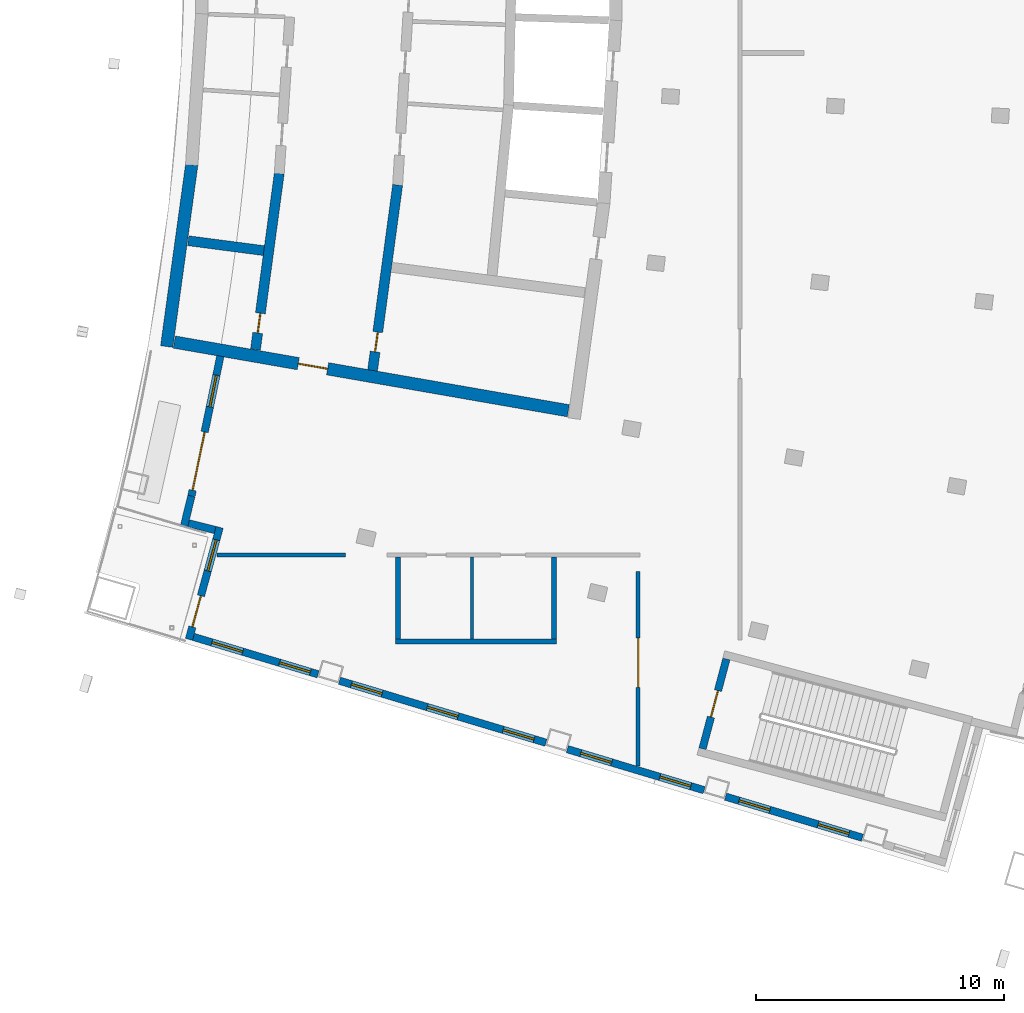
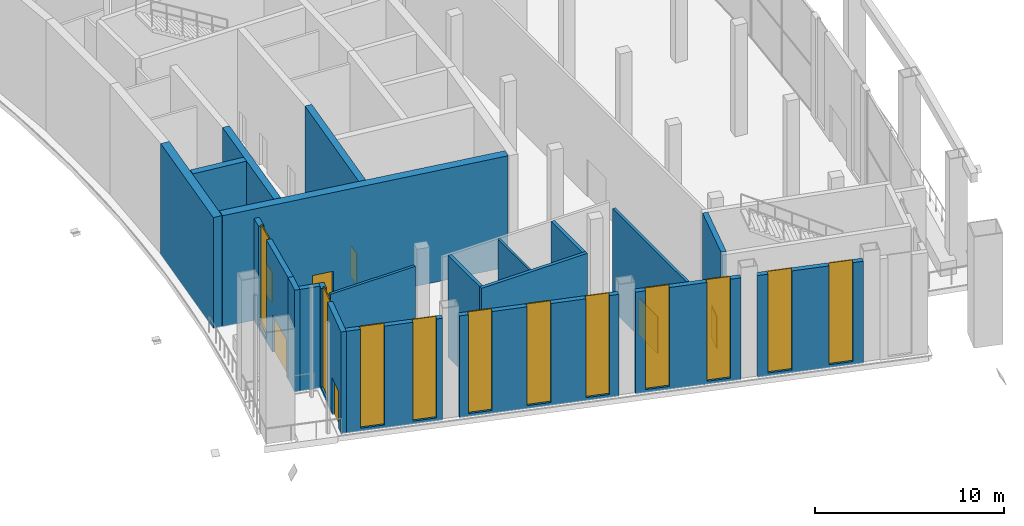
# One storey, part 13 of 25: 20 walls, 11 windows, 7 doors, 18 openings.
"""IFC4 building model written with IfcOpenShell, lengths in metres."""

from ifc_helpers import new_model, si_unit, direction, frame, frame_2d, origin, place, context, subcontext, project, spatial, rectangle, extrude, material, layer, layer_set, type_object, element, fill, save


model = new_model("IFC4")

# Units and contexts
model_context = context("Model", 3, precision=1e-05, world=origin(), true_north=direction((0.0, 1.0)))
body_context = subcontext(model_context, "Body", "Model", "MODEL_VIEW")
ifc_project = project(units=[si_unit("LENGTHUNIT", "METRE"), si_unit("AREAUNIT", "SQUARE_METRE"), si_unit("VOLUMEUNIT", "CUBIC_METRE"), si_unit("PLANEANGLEUNIT", "RADIAN"), si_unit("MASSUNIT", "GRAM", prefix="KILO")], contexts=[model_context])

# Site, building, storey
site_placement = place(None, origin())
site = spatial("IfcSite", under=ifc_project, at=site_placement, CompositionType="ELEMENT")
building_placement = place(site_placement, origin())
building = spatial("IfcBuilding", under=site, at=building_placement, Name="Alderwake Tower", CompositionType="ELEMENT")
storey_placement = place(building_placement, frame((0.0, 0.0, 288.800048828125)))
storey = spatial("IfcBuildingStorey", under=building, at=storey_placement, Name="L72", CompositionType="ELEMENT", Elevation=288.800048828125)

# Wall
ifc_material_1 = material(Name="Concrete C70/85", Category="concrete")
ifc_layer_1 = layer(ifc_material_1, 0.5)
ifc_layer_set_1 = layer_set([ifc_layer_1], Name="Core wall outer 500 C70-85")
wall_type_1 = type_object("IfcWallType", Name="Core wall outer 500 C70-85", PredefinedType="SHEAR", material=ifc_layer_set_1)
wall_1_placement = place(storey_placement, frame((15.272216796875, 44.155029296875, 0.0), z_axis=(0.0, 0.0, 1.0), x_axis=(0.13632182908, 0.990664604655, 0.0)))
element("IfcWall", 1, at=wall_1_placement, inside=storey, type_object=wall_type_1, Name="Core wall CW.028", PredefinedType="SHEAR", context=body_context, shape_type="SweptSolid", body=[
    extrude(rectangle(XDim=7.408935546875, YDim=0.5, at=frame_2d((3.70458984375, 0.0))), origin(), (0.0, 0.0, 1.0), 7.199951171875),
])

# Wall, opening, door
wall_2_placement = place(storey_placement, frame((31.47802734375, 41.564453125, 0.0), z_axis=(0.0, 0.0, 1.0), x_axis=(-0.985140274783, 0.171751678306, 0.0)))
wall_2 = element("IfcWall", 2, at=wall_2_placement, inside=storey, type_object=wall_type_1, Name="Core wall CW.072", PredefinedType="SHEAR", context=body_context, shape_type="SweptSolid", body=[
    extrude(rectangle(XDim=16.137939453125, YDim=0.5, at=frame_2d((8.06884765625, 0.0))), origin(), (0.0, 0.0, 1.0), 7.199951171875),
])
opening_1_placement = place(wall_2_placement, frame((9.859619140625, 0.0, 0.0)))
opening_1 = element("IfcOpeningElement", 3, at=opening_1_placement, cuts=wall_2, Name="Opening C003", PredefinedType="OPENING", context=body_context, shape_type="SweptSolid", body=[
    extrude(rectangle(XDim=1.199951171875, YDim=2.10009765625, at=frame_2d((0.60009765625, 1.050048828125))), frame((0.0, 0.260009765625, 0.0), z_axis=(0.0, -1.0, 0.0), x_axis=(1.0, 0.0, 0.0)), (0.0, 0.0, 1.0), 0.52001953125),
])
ifc_material_2 = material(Name="Steel-framed fire door leaf", Category="steel")
door_type_1 = type_object("IfcDoorType", Name="Core lobby exit door 1200 fire-rated", OperationType="SINGLE_SWING_LEFT", PredefinedType="DOOR", material=ifc_material_2)
door_1_placement = place(opening_1_placement, origin())
door_1 = element("IfcDoor", 4, at=door_1_placement, inside=storey, type_object=door_type_1, Name="Lobby door", OperationType="SINGLE_SWING_LEFT", OverallHeight=2.10009765625, OverallWidth=1.199951171875, PredefinedType="DOOR", context=body_context, shape_type="SweptSolid", body=[
    extrude(rectangle(XDim=1.199951171875, YDim=2.10009765625, at=frame_2d((0.60009765625, 1.050048828125))), frame((0.0, 0.02490234375, 0.0), z_axis=(0.0, -1.0, 0.0), x_axis=(1.0, 0.0, 0.0)), (0.0, 0.0, 1.0), 0.050048828125),
])
fill(opening_1, door_1)

ifc_material_3 = material(Name="Concrete C70/85", Category="concrete")
ifc_layer_2 = layer(ifc_material_3, 0.39990234375)
ifc_layer_set_2 = layer_set([ifc_layer_2], Name="Core wall spine 400 C70-85")
wall_type_2 = type_object("IfcWallType", Name="Core wall spine 400 C70-85", PredefinedType="SHEAR", material=ifc_layer_set_2)
wall_3_placement = place(storey_placement, frame((19.814697265625, 51.143798828125, 0.0), z_axis=(0.0, 0.0, 1.0), x_axis=(-0.133823115837, -0.991005233925, 0.0)))
wall_3 = element("IfcWall", 5, at=wall_3_placement, inside=storey, type_object=wall_type_2, Name="Core wall CW.033", PredefinedType="SHEAR", context=body_context, shape_type="SweptSolid", body=[
    extrude(rectangle(XDim=7.1787109375, YDim=0.39990234375, at=frame_2d((3.58935546875, 0.0))), origin(), (0.0, 0.0, 1.0), 7.199951171875),
])
opening_2_placement = place(wall_3_placement, frame((5.69677734375, 0.0, 0.0)))
opening_2 = element("IfcOpeningElement", 6, at=opening_2_placement, cuts=wall_3, Name="Opening C007", PredefinedType="OPENING", context=body_context, shape_type="SweptSolid", body=[
    extrude(rectangle(XDim=0.800048828125, YDim=2.0, at=frame_2d((0.39990234375, 1.0))), frame((0.0, 0.2099609375, 0.0), z_axis=(0.0, -1.0, 0.0), x_axis=(1.0, 0.0, 0.0)), (0.0, 0.0, 1.0), 0.419921875),
])
ifc_material_4 = material(Name="Painted steel leaf, rated", Category="steel")
door_type_2 = type_object("IfcDoorType", Name="Riser access door 800", OperationType="SINGLE_SWING_LEFT", PredefinedType="DOOR", material=ifc_material_4)
door_2_placement = place(opening_2_placement, origin())
door_2 = element("IfcDoor", 7, at=door_2_placement, inside=storey, type_object=door_type_2, Name="Riser access door", OperationType="SINGLE_SWING_LEFT", OverallHeight=2.0, OverallWidth=0.800048828125, PredefinedType="DOOR", context=body_context, shape_type="SweptSolid", body=[
    extrude(rectangle(XDim=0.800048828125, YDim=2.0, at=frame_2d((0.39990234375, 1.0))), frame((0.0, 0.02490234375, 0.0), z_axis=(0.0, -1.0, 0.0), x_axis=(1.0, 0.0, 0.0)), (0.0, 0.0, 1.0), 0.050048828125),
])
fill(opening_2, door_2)

wall_4_placement = place(storey_placement, frame((23.58056640625, 43.19384765625, 0.0), z_axis=(0.0, 0.0, 1.0), x_axis=(0.133962545762, 0.990986395635, 0.0)))
wall_4 = element("IfcWall", 8, at=wall_4_placement, inside=storey, type_object=wall_type_2, Name="Core wall CW.047", PredefinedType="SHEAR", context=body_context, shape_type="SweptSolid", body=[
    extrude(rectangle(XDim=7.546875, YDim=0.39990234375, at=frame_2d((3.7734375, 0.0))), origin(), (0.0, 0.0, 1.0), 7.199951171875),
])
opening_3_placement = place(wall_4_placement, frame((0.7578125, 0.0, 0.0)))
opening_3 = element("IfcOpeningElement", 9, at=opening_3_placement, cuts=wall_4, Name="Opening C014", PredefinedType="OPENING", context=body_context, shape_type="SweptSolid", body=[
    extrude(rectangle(XDim=0.800048828125, YDim=2.0, at=frame_2d((0.39990234375, 1.0))), frame((0.0, 0.2099609375, 0.0), z_axis=(0.0, -1.0, 0.0), x_axis=(1.0, 0.0, 0.0)), (0.0, 0.0, 1.0), 0.419921875),
])
door_3_placement = place(opening_3_placement, origin())
door_3 = element("IfcDoor", 10, at=door_3_placement, inside=storey, type_object=door_type_2, Name="Riser access door", OperationType="SINGLE_SWING_RIGHT", OverallHeight=2.0, OverallWidth=0.800048828125, PredefinedType="DOOR", context=body_context, shape_type="SweptSolid", body=[
    extrude(rectangle(XDim=0.800048828125, YDim=2.0, at=frame_2d((0.39990234375, 1.0))), frame((0.0, 0.02490234375, 0.0), z_axis=(0.0, -1.0, 0.0), x_axis=(1.0, 0.0, 0.0)), (0.0, 0.0, 1.0), 0.050048828125),
])
fill(opening_3, door_3)

# Wall
wall_5_placement = place(storey_placement, frame((16.142578125, 48.42529296875, 0.0), z_axis=(0.0, 0.0, 1.0), x_axis=(0.991550757989, -0.129719290517, 0.0)))
element("IfcWall", 11, at=wall_5_placement, inside=storey, type_object=wall_type_2, Name="Core wall CW.067", PredefinedType="SHEAR", context=body_context, shape_type="SweptSolid", body=[
    extrude(rectangle(XDim=3.0751953125, YDim=0.39990234375, at=frame_2d((1.53759765625, 0.0))), origin(), (0.0, 0.0, 1.0), 7.199951171875),
])

# Wall, opening, door
ifc_material_5 = material(Name="Concrete C70/85", Category="concrete")
ifc_layer_3 = layer(ifc_material_5, 0.300048828125)
ifc_layer_set_3 = layer_set([ifc_layer_3], Name="Core wall stair enclosure 300 C70-85")
wall_type_3 = type_object("IfcWallType", Name="Core wall stair enclosure 300 C70-85", PredefinedType="SHEAR", material=ifc_layer_set_3)
wall_6_placement = place(storey_placement, frame((36.89501953125, 27.923828125, 0.0), z_axis=(0.0, 0.0, 1.0), x_axis=(0.257350630826, 0.966318090907, 0.0)))
wall_6 = element("IfcWall", 12, at=wall_6_placement, inside=storey, type_object=wall_type_3, Name="Core wall CW.087", PredefinedType="SHEAR", context=body_context, shape_type="SweptSolid", body=[
    extrude(rectangle(XDim=3.75, YDim=0.300048828125, at=frame_2d((1.875, 0.0))), origin(), (0.0, 0.0, 1.0), 7.199951171875),
])
opening_4_placement = place(wall_6_placement, frame((1.324951171875, 0.0, 0.0)))
opening_4 = element("IfcOpeningElement", 13, at=opening_4_placement, cuts=wall_6, Name="Opening C065", PredefinedType="OPENING", context=body_context, shape_type="SweptSolid", body=[
    extrude(rectangle(XDim=1.10009765625, YDim=2.10009765625, at=frame_2d((0.550048828125, 1.050048828125))), frame((0.0, 0.159912109375, 0.0), z_axis=(0.0, -1.0, 0.0), x_axis=(1.0, 0.0, 0.0)), (0.0, 0.0, 1.0), 0.320068359375),
])
ifc_material_6 = material(Name="Steel-framed fire door leaf", Category="steel")
door_type_3 = type_object("IfcDoorType", Name="Core stair door 1100 fire-rated", OperationType="SINGLE_SWING_LEFT", PredefinedType="DOOR", material=ifc_material_6)
door_4_placement = place(opening_4_placement, origin())
door_4 = element("IfcDoor", 14, at=door_4_placement, inside=storey, type_object=door_type_3, Name="Stair door", OperationType="SINGLE_SWING_LEFT", OverallHeight=2.10009765625, OverallWidth=1.10009765625, PredefinedType="DOOR", context=body_context, shape_type="SweptSolid", body=[
    extrude(rectangle(XDim=1.10009765625, YDim=2.10009765625, at=frame_2d((0.550048828125, 1.050048828125))), frame((0.0, 0.02490234375, 0.0), z_axis=(0.0, -1.0, 0.0), x_axis=(1.0, 0.0, 0.0)), (0.0, 0.0, 1.0), 0.050048828125),
])
fill(opening_4, door_4)

# Wall
ifc_material_7 = material(Name="Gypsum board on metal studs, rated")
ifc_layer_4 = layer(ifc_material_7, 0.159912109375)
ifc_layer_set_4 = layer_set([ifc_layer_4], Name="Corridor wall 160")
wall_type_4 = type_object("IfcWallType", Name="Corridor wall 160", PredefinedType="PARTITIONING", material=ifc_layer_set_4)
wall_7_placement = place(storey_placement, frame((17.2939453125, 35.7509765625, 0.0), z_axis=(0.0, 0.0, 1.0), x_axis=(1.0, 0.0, 0.0)))
element("IfcWall", 15, at=wall_7_placement, inside=storey, type_object=wall_type_4, Name="WL/L72/W09", PredefinedType="PARTITIONING", context=body_context, shape_type="SweptSolid", body=[
    extrude(rectangle(XDim=5.197021484375, YDim=0.159912109375, at=frame_2d((2.5986328125, 0.0))), origin(), (0.0, 0.0, 1.0), 6.599853515625),
])

# Wall, opening, door
wall_8_placement = place(storey_placement, frame((34.299072265625, 35.071044921875, 0.0), z_axis=(0.0, 0.0, 1.0), x_axis=(0.0, -1.0, 0.0)))
wall_8 = element("IfcWall", 16, at=wall_8_placement, inside=storey, type_object=wall_type_4, Name="WL/L72/W12", PredefinedType="PARTITIONING", context=body_context, shape_type="SweptSolid", body=[
    extrude(rectangle(XDim=7.843994140625, YDim=0.159912109375, at=frame_2d((3.921875, 0.0))), origin(), (0.0, 0.0, 1.0), 6.599853515625),
])
opening_5_placement = place(wall_8_placement, frame((2.6708984375, 0.0, 0.0)))
opening_5 = element("IfcOpeningElement", 17, at=opening_5_placement, cuts=wall_8, Name="Opening L72-05", PredefinedType="OPENING", context=body_context, shape_type="SweptSolid", body=[
    extrude(rectangle(XDim=2.0, YDim=2.39990234375, at=frame_2d((1.0, 1.199951171875))), frame((0.0, 0.08984375, 0.0), z_axis=(0.0, -1.0, 0.0), x_axis=(1.0, 0.0, 0.0)), (0.0, 0.0, 1.0), 0.179931640625),
])
ifc_material_8 = material(Name="Timber leaves with glazed panels", Category="wood")
door_type_4 = type_object("IfcDoorType", Name="Hall double door 2000", OperationType="DOUBLE_DOOR_SINGLE_SWING", PredefinedType="DOOR", material=ifc_material_8)
door_5_placement = place(opening_5_placement, origin())
door_5 = element("IfcDoor", 18, at=door_5_placement, inside=storey, type_object=door_type_4, Name="DR/L72/05", OperationType="DOUBLE_DOOR_SINGLE_SWING", OverallHeight=2.39990234375, OverallWidth=2.0, PredefinedType="DOOR", context=body_context, shape_type="SweptSolid", body=[
    extrude(rectangle(XDim=2.0, YDim=2.39990234375, at=frame_2d((1.0, 1.199951171875))), frame((0.0, 0.02490234375, 0.0), z_axis=(0.0, -1.0, 0.0), x_axis=(1.0, 0.0, 0.0)), (0.0, 0.0, 1.0), 0.050048828125),
])
fill(opening_5, door_5)

# Wall, openings, door, window
ifc_material_9 = material(Name="Precast concrete C50/60 spandrel panel", Category="concrete")
ifc_layer_5 = layer(ifc_material_9, 0.300048828125)
ifc_layer_set_5 = layer_set([ifc_layer_5], Name="External wall EW1 Precast concrete C50/60 spandrel")
wall_type_5 = type_object("IfcWallType", Name="External wall EW1 Precast concrete C50/60 spandrel", PredefinedType="SOLIDWALL", material=ifc_layer_set_5)
wall_9_placement = place(storey_placement, frame((17.43798828125, 43.768798828125, 0.0), z_axis=(0.0, 0.0, 1.0), x_axis=(-0.202755400963, -0.979229415091, 0.0)))
wall_9 = element("IfcWall", 19, at=wall_9_placement, inside=storey, type_object=wall_type_5, Name="External wall 3", PredefinedType="SOLIDWALL", context=body_context, shape_type="SweptSolid", body=[
    extrude(rectangle(XDim=5.7666015625, YDim=0.300048828125, at=frame_2d((2.88330078125, 0.0))), origin(), (0.0, 0.0, 1.0), 6.599853515625),
])
opening_6_placement = place(wall_9_placement, frame((0.790283203125, 0.0, 0.199951171875)))
opening_6 = element("IfcOpeningElement", 20, at=opening_6_placement, cuts=wall_9, Name="Opening W5", PredefinedType="OPENING", context=body_context, shape_type="SweptSolid", body=[
    extrude(rectangle(XDim=1.300048828125, YDim=6.5, at=frame_2d((0.64990234375, 3.25))), frame((0.0, 0.159912109375, 0.0), z_axis=(0.0, -1.0, 0.0), x_axis=(1.0, 0.0, 0.0)), (0.0, 0.0, 1.0), 0.320068359375),
])
opening_7_placement = place(wall_9_placement, frame((3.12451171875, 0.0, 0.0)))
opening_7 = element("IfcOpeningElement", 21, at=opening_7_placement, cuts=wall_9, Name="Opening D01", PredefinedType="OPENING", context=body_context, shape_type="SweptSolid", body=[
    extrude(rectangle(XDim=2.39990234375, YDim=2.39990234375, at=frame_2d((1.199951171875, 1.199951171875))), frame((0.0, 0.159912109375, 0.0), z_axis=(0.0, -1.0, 0.0), x_axis=(1.0, 0.0, 0.0)), (0.0, 0.0, 1.0), 0.320068359375),
])
ifc_material_10 = material(Name="Bronze tinted glass in aluminium frame", Category="aluminium")
door_type_5 = type_object("IfcDoorType", Name="Garden door GD sliding", OperationType="DOUBLE_DOOR_SINGLE_SWING", PredefinedType="DOOR", material=ifc_material_10)
door_6_placement = place(opening_7_placement, origin())
door_6 = element("IfcDoor", 22, at=door_6_placement, inside=storey, type_object=door_type_5, Name="Door D01", OperationType="DOUBLE_DOOR_SINGLE_SWING", OverallHeight=2.39990234375, OverallWidth=2.39990234375, PredefinedType="DOOR", context=body_context, shape_type="SweptSolid", body=[
    extrude(rectangle(XDim=2.39990234375, YDim=2.39990234375, at=frame_2d((1.199951171875, 1.199951171875))), frame((0.0, 0.02490234375, 0.0), z_axis=(0.0, -1.0, 0.0), x_axis=(1.0, 0.0, 0.0)), (0.0, 0.0, 1.0), 0.050048828125),
])
fill(opening_7, door_6)
ifc_material_11 = material(Name="Bronze tinted glass in aluminium frame", Category="aluminium")
window_type = type_object("IfcWindowType", Name="Window W5 garden floor tall", PartitioningType="SINGLE_PANEL", PredefinedType="WINDOW", material=ifc_material_11)
window_1_placement = place(opening_6_placement, origin())
window_1 = element("IfcWindow", 23, at=window_1_placement, inside=storey, type_object=window_type, Name="Window W5 garden floor tall", OverallHeight=6.5, OverallWidth=1.300048828125, PartitioningType="SINGLE_PANEL", PredefinedType="WINDOW", context=body_context, shape_type="SweptSolid", body=[
    extrude(rectangle(XDim=1.300048828125, YDim=6.5, at=frame_2d((0.64990234375, 3.25))), frame((0.0, 0.030029296875, 0.0), z_axis=(0.0, -1.0, 0.0), x_axis=(1.0, 0.0, 0.0)), (0.0, 0.0, 1.0), 0.06005859375),
])
fill(opening_6, window_1)

# Walls
wall_10_placement = place(storey_placement, frame((16.2685546875, 38.120361328125, 0.0), z_axis=(0.0, 0.0, 1.0), x_axis=(-0.238280960487, -0.971196264341, 0.0)))
element("IfcWall", 24, at=wall_10_placement, inside=storey, type_object=wall_type_5, Name="External wall 4", PredefinedType="SOLIDWALL", context=body_context, shape_type="SweptSolid", body=[
    extrude(rectangle(XDim=1.242919921875, YDim=0.300048828125, at=frame_2d((0.62158203125, 0.0))), origin(), (0.0, 0.0, 1.0), 6.599853515625),
])
ifc_material_12 = material(Name="Bronze metal cladding on lightweight framing")
ifc_layer_6 = layer(ifc_material_12, 0.300048828125)
ifc_layer_set_6 = layer_set([ifc_layer_6], Name="External wall EW2 bronze metal cladding")
wall_type_6 = type_object("IfcWallType", Name="External wall EW2 bronze metal cladding", PredefinedType="SOLIDWALL", material=ifc_layer_set_6)
wall_11_placement = place(storey_placement, frame((16.153564453125, 37.022216796875, 0.0), z_axis=(0.0, 0.0, 1.0), x_axis=(0.969436987534, -0.245340431241, 0.0)))
element("IfcWall", 25, at=wall_11_placement, inside=storey, type_object=wall_type_6, Name="External wall 5", PredefinedType="SOLIDWALL", context=body_context, shape_type="SweptSolid", body=[
    extrude(rectangle(XDim=1.10546875, YDim=0.300048828125, at=frame_2d((0.552734375, 0.0))), origin(), (0.0, 0.0, 1.0), 6.599853515625),
])

# Wall, openings, door, window
wall_12_placement = place(storey_placement, frame((17.410400390625, 36.85888671875, 0.0), z_axis=(0.0, 0.0, 1.0), x_axis=(-0.264592640785, -0.96436027212, 0.0)))
wall_12 = element("IfcWall", 26, at=wall_12_placement, inside=storey, type_object=wall_type_6, Name="External wall 6", PredefinedType="SOLIDWALL", context=body_context, shape_type="SweptSolid", body=[
    extrude(rectangle(XDim=4.690185546875, YDim=0.300048828125, at=frame_2d((2.34521484375, 0.0))), origin(), (0.0, 0.0, 1.0), 6.599853515625),
])
opening_8_placement = place(wall_12_placement, frame((0.5224609375, 0.0, 0.199951171875)))
opening_8 = element("IfcOpeningElement", 27, at=opening_8_placement, cuts=wall_12, Name="Opening W5", PredefinedType="OPENING", context=body_context, shape_type="SweptSolid", body=[
    extrude(rectangle(XDim=1.300048828125, YDim=6.5, at=frame_2d((0.64990234375, 3.25))), frame((0.0, 0.159912109375, 0.0), z_axis=(0.0, -1.0, 0.0), x_axis=(1.0, 0.0, 0.0)), (0.0, 0.0, 1.0), 0.320068359375),
])
opening_9_placement = place(wall_12_placement, frame((2.867431640625, 0.0, 0.0)))
opening_9 = element("IfcOpeningElement", 28, at=opening_9_placement, cuts=wall_12, Name="Opening D02", PredefinedType="OPENING", context=body_context, shape_type="SweptSolid", body=[
    extrude(rectangle(XDim=1.300048828125, YDim=2.39990234375, at=frame_2d((0.64990234375, 1.199951171875))), frame((0.0, 0.159912109375, 0.0), z_axis=(0.0, -1.0, 0.0), x_axis=(1.0, 0.0, 0.0)), (0.0, 0.0, 1.0), 0.320068359375),
])
ifc_material_13 = material(Name="Bronze tinted glass in aluminium frame", Category="aluminium")
door_type_6 = type_object("IfcDoorType", Name="Balcony door BD sliding", OperationType="SLIDING_TO_LEFT", PredefinedType="DOOR", material=ifc_material_13)
door_7_placement = place(opening_9_placement, origin())
door_7 = element("IfcDoor", 29, at=door_7_placement, inside=storey, type_object=door_type_6, Name="Door D02", OperationType="SLIDING_TO_LEFT", OverallHeight=2.39990234375, OverallWidth=1.300048828125, PredefinedType="DOOR", context=body_context, shape_type="SweptSolid", body=[
    extrude(rectangle(XDim=1.300048828125, YDim=2.39990234375, at=frame_2d((0.64990234375, 1.199951171875))), frame((0.0, 0.02490234375, 0.0), z_axis=(0.0, -1.0, 0.0), x_axis=(1.0, 0.0, 0.0)), (0.0, 0.0, 1.0), 0.050048828125),
])
fill(opening_9, door_7)
window_2_placement = place(opening_8_placement, origin())
window_2 = element("IfcWindow", 30, at=window_2_placement, inside=storey, type_object=window_type, Name="Window W5 garden floor tall", OverallHeight=6.5, OverallWidth=1.300048828125, PartitioningType="SINGLE_PANEL", PredefinedType="WINDOW", context=body_context, shape_type="SweptSolid", body=[
    extrude(rectangle(XDim=1.300048828125, YDim=6.5, at=frame_2d((0.64990234375, 3.25))), frame((0.0, 0.030029296875, 0.0), z_axis=(0.0, -1.0, 0.0), x_axis=(1.0, 0.0, 0.0)), (0.0, 0.0, 1.0), 0.06005859375),
])
fill(opening_8, window_2)

# Wall, openings, windows
wall_13_placement = place(storey_placement, frame((16.352783203125, 32.4375, 0.0), z_axis=(0.0, 0.0, 1.0), x_axis=(0.957768668152, -0.287539872551, 0.0)))
wall_13 = element("IfcWall", 31, at=wall_13_placement, inside=storey, type_object=wall_type_6, Name="External wall 7", PredefinedType="SOLIDWALL", context=body_context, shape_type="SweptSolid", body=[
    extrude(rectangle(XDim=5.249755859375, YDim=0.300048828125, at=frame_2d((2.625, 0.0))), origin(), (0.0, 0.0, 1.0), 6.599853515625),
])
opening_10_placement = place(wall_13_placement, frame((0.775390625, 0.0, 0.199951171875)))
opening_10 = element("IfcOpeningElement", 32, at=opening_10_placement, cuts=wall_13, Name="Opening W5", PredefinedType="OPENING", context=body_context, shape_type="SweptSolid", body=[
    extrude(rectangle(XDim=1.300048828125, YDim=6.5, at=frame_2d((0.64990234375, 3.25))), frame((0.0, 0.159912109375, 0.0), z_axis=(0.0, -1.0, 0.0), x_axis=(1.0, 0.0, 0.0)), (0.0, 0.0, 1.0), 0.320068359375),
])
opening_11_placement = place(wall_13_placement, frame((3.626220703125, 0.0, 0.199951171875)))
opening_11 = element("IfcOpeningElement", 33, at=opening_11_placement, cuts=wall_13, Name="Opening W5", PredefinedType="OPENING", context=body_context, shape_type="SweptSolid", body=[
    extrude(rectangle(XDim=1.300048828125, YDim=6.5, at=frame_2d((0.64990234375, 3.25))), frame((0.0, 0.159912109375, 0.0), z_axis=(0.0, -1.0, 0.0), x_axis=(1.0, 0.0, 0.0)), (0.0, 0.0, 1.0), 0.320068359375),
])
window_3_placement = place(opening_10_placement, origin())
window_3 = element("IfcWindow", 34, at=window_3_placement, inside=storey, type_object=window_type, Name="Window W5 garden floor tall", OverallHeight=6.5, OverallWidth=1.300048828125, PartitioningType="SINGLE_PANEL", PredefinedType="WINDOW", context=body_context, shape_type="SweptSolid", body=[
    extrude(rectangle(XDim=1.300048828125, YDim=6.5, at=frame_2d((0.64990234375, 3.25))), frame((0.0, 0.030029296875, 0.0), z_axis=(0.0, -1.0, 0.0), x_axis=(1.0, 0.0, 0.0)), (0.0, 0.0, 1.0), 0.06005859375),
])
fill(opening_10, window_3)
window_4_placement = place(opening_11_placement, origin())
window_4 = element("IfcWindow", 35, at=window_4_placement, inside=storey, type_object=window_type, Name="Window W5 garden floor tall", OverallHeight=6.5, OverallWidth=1.300048828125, PartitioningType="SINGLE_PANEL", PredefinedType="WINDOW", context=body_context, shape_type="SweptSolid", body=[
    extrude(rectangle(XDim=1.300048828125, YDim=6.5, at=frame_2d((0.64990234375, 3.25))), frame((0.0, 0.030029296875, 0.0), z_axis=(0.0, -1.0, 0.0), x_axis=(1.0, 0.0, 0.0)), (0.0, 0.0, 1.0), 0.06005859375),
])
fill(opening_11, window_4)

wall_14_placement = place(storey_placement, frame((22.24658203125, 30.668212890625, 0.0), z_axis=(0.0, 0.0, 1.0), x_axis=(0.957762902908, -0.287559075345, 0.0)))
wall_14 = element("IfcWall", 36, at=wall_14_placement, inside=storey, type_object=wall_type_6, Name="External wall 8", PredefinedType="SOLIDWALL", context=body_context, shape_type="SweptSolid", body=[
    extrude(rectangle(XDim=8.696533203125, YDim=0.300048828125, at=frame_2d((4.34814453125, 0.0))), origin(), (0.0, 0.0, 1.0), 6.599853515625),
])
opening_12_placement = place(wall_14_placement, frame((0.498046875, 0.0, 0.199951171875)))
opening_12 = element("IfcOpeningElement", 37, at=opening_12_placement, cuts=wall_14, Name="Opening W5", PredefinedType="OPENING", context=body_context, shape_type="SweptSolid", body=[
    extrude(rectangle(XDim=1.300048828125, YDim=6.5, at=frame_2d((0.64990234375, 3.25))), frame((0.0, 0.159912109375, 0.0), z_axis=(0.0, -1.0, 0.0), x_axis=(1.0, 0.0, 0.0)), (0.0, 0.0, 1.0), 0.320068359375),
])
opening_13_placement = place(wall_14_placement, frame((3.697998046875, 0.0, 0.199951171875)))
opening_13 = element("IfcOpeningElement", 38, at=opening_13_placement, cuts=wall_14, Name="Opening W5", PredefinedType="OPENING", context=body_context, shape_type="SweptSolid", body=[
    extrude(rectangle(XDim=1.300048828125, YDim=6.5, at=frame_2d((0.64990234375, 3.25))), frame((0.0, 0.159912109375, 0.0), z_axis=(0.0, -1.0, 0.0), x_axis=(1.0, 0.0, 0.0)), (0.0, 0.0, 1.0), 0.320068359375),
])
opening_14_placement = place(wall_14_placement, frame((6.898193359375, 0.0, 0.199951171875)))
opening_14 = element("IfcOpeningElement", 39, at=opening_14_placement, cuts=wall_14, Name="Opening W5", PredefinedType="OPENING", context=body_context, shape_type="SweptSolid", body=[
    extrude(rectangle(XDim=1.300048828125, YDim=6.5, at=frame_2d((0.64990234375, 3.25))), frame((0.0, 0.159912109375, 0.0), z_axis=(0.0, -1.0, 0.0), x_axis=(1.0, 0.0, 0.0)), (0.0, 0.0, 1.0), 0.320068359375),
])
window_5_placement = place(opening_12_placement, origin())
window_5 = element("IfcWindow", 40, at=window_5_placement, inside=storey, type_object=window_type, Name="Window W5 garden floor tall", OverallHeight=6.5, OverallWidth=1.300048828125, PartitioningType="SINGLE_PANEL", PredefinedType="WINDOW", context=body_context, shape_type="SweptSolid", body=[
    extrude(rectangle(XDim=1.300048828125, YDim=6.5, at=frame_2d((0.64990234375, 3.25))), frame((0.0, 0.030029296875, 0.0), z_axis=(0.0, -1.0, 0.0), x_axis=(1.0, 0.0, 0.0)), (0.0, 0.0, 1.0), 0.06005859375),
])
fill(opening_12, window_5)
window_6_placement = place(opening_13_placement, origin())
window_6 = element("IfcWindow", 41, at=window_6_placement, inside=storey, type_object=window_type, Name="Window W5 garden floor tall", OverallHeight=6.5, OverallWidth=1.300048828125, PartitioningType="SINGLE_PANEL", PredefinedType="WINDOW", context=body_context, shape_type="SweptSolid", body=[
    extrude(rectangle(XDim=1.300048828125, YDim=6.5, at=frame_2d((0.64990234375, 3.25))), frame((0.0, 0.030029296875, 0.0), z_axis=(0.0, -1.0, 0.0), x_axis=(1.0, 0.0, 0.0)), (0.0, 0.0, 1.0), 0.06005859375),
])
fill(opening_13, window_6)
window_7_placement = place(opening_14_placement, origin())
window_7 = element("IfcWindow", 42, at=window_7_placement, inside=storey, type_object=window_type, Name="Window W5 garden floor tall", OverallHeight=6.5, OverallWidth=1.300048828125, PartitioningType="SINGLE_PANEL", PredefinedType="WINDOW", context=body_context, shape_type="SweptSolid", body=[
    extrude(rectangle(XDim=1.300048828125, YDim=6.5, at=frame_2d((0.64990234375, 3.25))), frame((0.0, 0.030029296875, 0.0), z_axis=(0.0, -1.0, 0.0), x_axis=(1.0, 0.0, 0.0)), (0.0, 0.0, 1.0), 0.06005859375),
])
fill(opening_14, window_7)

wall_15_placement = place(storey_placement, frame((31.441162109375, 27.90771484375, 0.0), z_axis=(0.0, 0.0, 1.0), x_axis=(0.957767971424, -0.287542193278, 0.0)))
wall_15 = element("IfcWall", 43, at=wall_15_placement, inside=storey, type_object=wall_type_6, Name="External wall 9", PredefinedType="SOLIDWALL", context=body_context, shape_type="SweptSolid", body=[
    extrude(rectangle(XDim=5.763427734375, YDim=0.300048828125, at=frame_2d((2.8818359375, 0.0))), origin(), (0.0, 0.0, 1.0), 6.599853515625),
])
opening_15_placement = place(wall_15_placement, frame((0.56494140625, 0.0, 0.199951171875)))
opening_15 = element("IfcOpeningElement", 44, at=opening_15_placement, cuts=wall_15, Name="Opening W5", PredefinedType="OPENING", context=body_context, shape_type="SweptSolid", body=[
    extrude(rectangle(XDim=1.300048828125, YDim=6.5, at=frame_2d((0.64990234375, 3.25))), frame((0.0, 0.159912109375, 0.0), z_axis=(0.0, -1.0, 0.0), x_axis=(1.0, 0.0, 0.0)), (0.0, 0.0, 1.0), 0.320068359375),
])
opening_16_placement = place(wall_15_placement, frame((3.898193359375, 0.0, 0.199951171875)))
opening_16 = element("IfcOpeningElement", 45, at=opening_16_placement, cuts=wall_15, Name="Opening W5", PredefinedType="OPENING", context=body_context, shape_type="SweptSolid", body=[
    extrude(rectangle(XDim=1.300048828125, YDim=6.5, at=frame_2d((0.64990234375, 3.25))), frame((0.0, 0.159912109375, 0.0), z_axis=(0.0, -1.0, 0.0), x_axis=(1.0, 0.0, 0.0)), (0.0, 0.0, 1.0), 0.320068359375),
])
window_8_placement = place(opening_15_placement, origin())
window_8 = element("IfcWindow", 46, at=window_8_placement, inside=storey, type_object=window_type, Name="Window W5 garden floor tall", OverallHeight=6.5, OverallWidth=1.300048828125, PartitioningType="SINGLE_PANEL", PredefinedType="WINDOW", context=body_context, shape_type="SweptSolid", body=[
    extrude(rectangle(XDim=1.300048828125, YDim=6.5, at=frame_2d((0.64990234375, 3.25))), frame((0.0, 0.030029296875, 0.0), z_axis=(0.0, -1.0, 0.0), x_axis=(1.0, 0.0, 0.0)), (0.0, 0.0, 1.0), 0.06005859375),
])
fill(opening_15, window_8)
window_9_placement = place(opening_16_placement, origin())
window_9 = element("IfcWindow", 47, at=window_9_placement, inside=storey, type_object=window_type, Name="Window W5 garden floor tall", OverallHeight=6.5, OverallWidth=1.300048828125, PartitioningType="SINGLE_PANEL", PredefinedType="WINDOW", context=body_context, shape_type="SweptSolid", body=[
    extrude(rectangle(XDim=1.300048828125, YDim=6.5, at=frame_2d((0.64990234375, 3.25))), frame((0.0, 0.030029296875, 0.0), z_axis=(0.0, -1.0, 0.0), x_axis=(1.0, 0.0, 0.0)), (0.0, 0.0, 1.0), 0.06005859375),
])
fill(opening_16, window_9)

wall_16_placement = place(storey_placement, frame((37.826416015625, 25.990478515625, 0.0), z_axis=(0.0, 0.0, 1.0), x_axis=(0.957776135082, -0.287514999726, 0.0)))
wall_16 = element("IfcWall", 48, at=wall_16_placement, inside=storey, type_object=wall_type_6, Name="External wall 10", PredefinedType="SOLIDWALL", context=body_context, shape_type="SweptSolid", body=[
    extrude(rectangle(XDim=5.76318359375, YDim=0.300048828125, at=frame_2d((2.881591796875, 0.0))), origin(), (0.0, 0.0, 1.0), 6.599853515625),
])
opening_17_placement = place(wall_16_placement, frame((0.56494140625, 0.0, 0.199951171875)))
opening_17 = element("IfcOpeningElement", 49, at=opening_17_placement, cuts=wall_16, Name="Opening W5", PredefinedType="OPENING", context=body_context, shape_type="SweptSolid", body=[
    extrude(rectangle(XDim=1.300048828125, YDim=6.5, at=frame_2d((0.64990234375, 3.25))), frame((0.0, 0.159912109375, 0.0), z_axis=(0.0, -1.0, 0.0), x_axis=(1.0, 0.0, 0.0)), (0.0, 0.0, 1.0), 0.320068359375),
])
opening_18_placement = place(wall_16_placement, frame((3.898193359375, 0.0, 0.199951171875)))
opening_18 = element("IfcOpeningElement", 50, at=opening_18_placement, cuts=wall_16, Name="Opening W5", PredefinedType="OPENING", context=body_context, shape_type="SweptSolid", body=[
    extrude(rectangle(XDim=1.300048828125, YDim=6.5, at=frame_2d((0.64990234375, 3.25))), frame((0.0, 0.159912109375, 0.0), z_axis=(0.0, -1.0, 0.0), x_axis=(1.0, 0.0, 0.0)), (0.0, 0.0, 1.0), 0.320068359375),
])
window_10_placement = place(opening_17_placement, origin())
window_10 = element("IfcWindow", 51, at=window_10_placement, inside=storey, type_object=window_type, Name="Window W5 garden floor tall", OverallHeight=6.5, OverallWidth=1.300048828125, PartitioningType="SINGLE_PANEL", PredefinedType="WINDOW", context=body_context, shape_type="SweptSolid", body=[
    extrude(rectangle(XDim=1.300048828125, YDim=6.5, at=frame_2d((0.64990234375, 3.25))), frame((0.0, 0.030029296875, 0.0), z_axis=(0.0, -1.0, 0.0), x_axis=(1.0, 0.0, 0.0)), (0.0, 0.0, 1.0), 0.06005859375),
])
fill(opening_17, window_10)
window_11_placement = place(opening_18_placement, origin())
window_11 = element("IfcWindow", 52, at=window_11_placement, inside=storey, type_object=window_type, Name="Window W5 garden floor tall", OverallHeight=6.5, OverallWidth=1.300048828125, PartitioningType="SINGLE_PANEL", PredefinedType="WINDOW", context=body_context, shape_type="SweptSolid", body=[
    extrude(rectangle(XDim=1.300048828125, YDim=6.5, at=frame_2d((0.64990234375, 3.25))), frame((0.0, 0.030029296875, 0.0), z_axis=(0.0, -1.0, 0.0), x_axis=(1.0, 0.0, 0.0)), (0.0, 0.0, 1.0), 0.06005859375),
])
fill(opening_18, window_11)

# Walls
ifc_material_14 = material(Name="Dense block masonry wall", Category="masonry")
ifc_layer_7 = layer(ifc_material_14, 0.199951171875)
ifc_layer_set_7 = layer_set([ifc_layer_7], Name="Party wall 200")
wall_type_7 = type_object("IfcWallType", Name="Party wall 200", PredefinedType="SOLIDWALL", material=ifc_layer_set_7)
wall_17_placement = place(storey_placement, frame((24.5, 32.25, 0.0), z_axis=(0.0, 0.0, 1.0), x_axis=(1.0, 0.0, 0.0)))
element("IfcWall", 53, at=wall_17_placement, inside=storey, type_object=wall_type_7, Name="WL/L72/W01", PredefinedType="SOLIDWALL", context=body_context, shape_type="SweptSolid", body=[
    extrude(rectangle(XDim=6.5, YDim=0.199951171875, at=frame_2d((3.25, 0.0))), origin(), (0.0, 0.0, 1.0), 6.599853515625),
])
for number, where, z_axis, x_axis, name in (
    (54, (24.60009765625, 35.6708984375, 0.0), (0.0, 0.0, 1.0), (0.0, -1.0, 0.0), "WL/L72/W02"),
    (55, (30.89990234375, 32.35009765625, 0.0), (0.0, 0.0, 1.0), (0.0, 1.0, 0.0), "WL/L72/W06"),
):
    element("IfcWall", number, at=place(storey_placement, frame(where, z_axis=z_axis, x_axis=x_axis)), inside=storey, type_object=wall_type_7, Name=name, PredefinedType="SOLIDWALL", context=body_context, shape_type="SweptSolid", body=[
        extrude(rectangle(XDim=3.32080078125, YDim=0.199951171875, at=frame_2d((1.660400390625, 0.0))), origin(), (0.0, 0.0, 1.0), 6.599853515625),
    ])
ifc_material_15 = material(Name="Moisture resistant gypsum board on metal studs")
ifc_layer_8 = layer(ifc_material_15, 0.1201171875)
ifc_layer_set_8 = layer_set([ifc_layer_8], Name="Wet room partition 120")
wall_type_8 = type_object("IfcWallType", Name="Wet room partition 120", PredefinedType="PARTITIONING", material=ifc_layer_set_8)
wall_18_placement = place(storey_placement, frame((27.60009765625, 32.35009765625, 0.0), z_axis=(0.0, 0.0, 1.0), x_axis=(0.0, 1.0, 0.0)))
element("IfcWall", 56, at=wall_18_placement, inside=storey, type_object=wall_type_8, Name="WL/L72/W16", PredefinedType="PARTITIONING", context=body_context, shape_type="SweptSolid", body=[
    extrude(rectangle(XDim=3.32080078125, YDim=0.1201171875, at=frame_2d((1.660400390625, 0.0))), origin(), (0.0, 0.0, 1.0), 6.599853515625),
])

save(model, "model.ifc")
